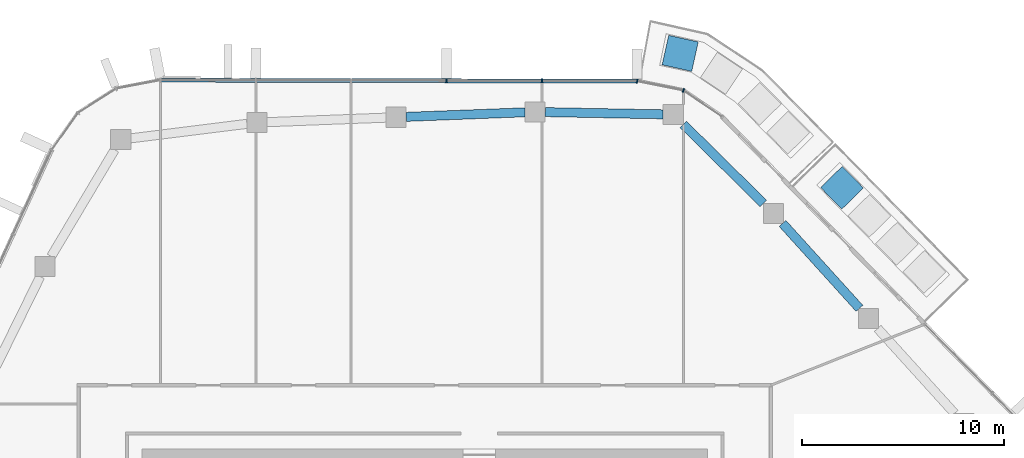
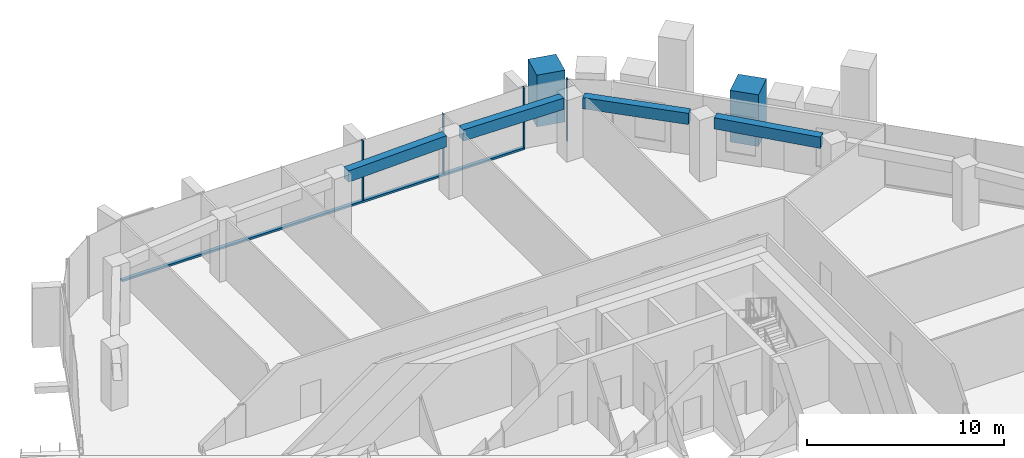
# One storey, part 9 of 23: 7 members, 4 beams, 2 elements without a shape of their own.
"""IFC4 building model written with IfcOpenShell, lengths in metres."""

from ifc_helpers import new_model, si_unit, direction, frame, origin, origin_2d, place, context, subcontext, project, spatial, rectangle, extrude, material, layer, layer_set, material_profile, profile_set, type_object, element, aggregate, save


model = new_model("IFC4")

# Units and contexts
model_context = context("Model", 3, precision=1e-05, world=origin(), true_north=direction((0.0, 1.0)))
body_context = subcontext(model_context, "Body", "Model", "MODEL_VIEW")
ifc_project = project(units=[si_unit("LENGTHUNIT", "METRE"), si_unit("AREAUNIT", "SQUARE_METRE"), si_unit("VOLUMEUNIT", "CUBIC_METRE"), si_unit("PLANEANGLEUNIT", "RADIAN"), si_unit("MASSUNIT", "GRAM", prefix="KILO")], contexts=[model_context])

# Site, building, storey
site_placement = place(None, origin())
site = spatial("IfcSite", under=ifc_project, at=site_placement, CompositionType="ELEMENT")
building_placement = place(site_placement, origin())
building = spatial("IfcBuilding", under=site, at=building_placement, Name="Dongbaek Canopy Tower", CompositionType="ELEMENT")
storey_placement = place(building_placement, frame((0.0, 0.0, 315.199951171875)))
storey = spatial("IfcBuildingStorey", under=building, at=storey_placement, Name="L67", CompositionType="ELEMENT", Elevation=315.199951171875)

# Curtain wall, members
ifc_material_1 = material(Name="Aluminium 6063-T6 pale anodised", Category="aluminium")
ifc_layer = layer(ifc_material_1, 0.199951171875)
ifc_layer_set = layer_set([ifc_layer], Name="CW-1 unitised tower curtain wall")
curtain_wall_type = type_object("IfcCurtainWallType", Name="CW-1 unitised tower curtain wall", PredefinedType="NOTDEFINED", material=ifc_layer_set)
curtain_wall_1_placement = place(storey_placement, origin())
curtain_wall_1 = element("IfcCurtainWall", 1, at=curtain_wall_1_placement, inside=storey, type_object=curtain_wall_type, Name="CW-1 curtain wall K1.1", PredefinedType="NOTDEFINED")
ifc_material_2 = material(Name="Aluminium 6063-T6 pale anodised", Category="aluminium")
ifc_material_profile_1 = material_profile(ifc_material_2, rectangle(XDim=0.199951171875, YDim=0.06005859375, at=origin_2d()), Name="CW-1 mullion 60 x 200")
ifc_profile_set_1 = profile_set([ifc_material_profile_1], Name="Aluminium 6063-T6 pale anodised")
member_type_1 = type_object("IfcMemberType", Name="CW-1 mullion 60 x 200", PredefinedType="MULLION", material=ifc_profile_set_1)
member_1_placement = place(storey_placement, frame((12.813720703125, 28.750732421875, 0.0), z_axis=(0.0, 0.0, 1.0), x_axis=(0.388722757848, 0.921354772892, 0.0)))
member_1 = element("IfcMember", 2, at=member_1_placement, type_object=member_type_1, Name="CW-1 mullion K1.1.2", PredefinedType="MULLION", context=body_context, shape_type="SweptSolid", body=[
    extrude(rectangle(XDim=0.199951171875, YDim=0.06005859375, at=origin_2d()), origin(), (0.0, 0.0, 1.0), 3.820068359375),
])
member_2_placement = place(storey_placement, frame((10.52392578125, 29.216552734375, 0.0), z_axis=(0.0, 0.0, 1.0), x_axis=(0.199367619142, 0.979924768764, 0.0)))
member_2 = element("IfcMember", 3, at=member_2_placement, type_object=member_type_1, Name="CW-1 mullion K1.1.3", PredefinedType="MULLION", context=body_context, shape_type="SweptSolid", body=[
    extrude(rectangle(XDim=0.199951171875, YDim=0.06005859375, at=origin_2d()), origin(), (0.0, 0.0, 1.0), 3.820068359375),
])
aggregate(curtain_wall_1, [member_1, member_2])

curtain_wall_2_placement = place(storey_placement, origin())
curtain_wall_2 = element("IfcCurtainWall", 4, at=curtain_wall_2_placement, inside=storey, type_object=curtain_wall_type, Name="CW-1 curtain wall F1.1", PredefinedType="NOTDEFINED")
member_3_placement = place(storey_placement, frame((5.8076171875, 29.226806640625, 0.1201171875), z_axis=(0.0, 0.0, 1.0), x_axis=(0.002180161438, 0.999997623445, 0.0)))
member_3 = element("IfcMember", 5, at=member_3_placement, type_object=member_type_1, Name="CW-1 mullion F1.1.2", PredefinedType="MULLION", context=body_context, shape_type="SweptSolid", body=[
    extrude(rectangle(XDim=0.199951171875, YDim=0.06005859375, at=origin_2d()), origin(), (0.0, 0.0, 1.0), 3.699951171875),
])
member_4_placement = place(storey_placement, frame((1.08154296875, 29.2373046875, 0.1201171875), z_axis=(0.0, 0.0, 1.0), x_axis=(0.002180161438, 0.999997623445, 0.0)))
member_4 = element("IfcMember", 6, at=member_4_placement, type_object=member_type_1, Name="CW-1 mullion F1.1.3", PredefinedType="MULLION", context=body_context, shape_type="SweptSolid", body=[
    extrude(rectangle(XDim=0.199951171875, YDim=0.06005859375, at=origin_2d()), origin(), (0.0, 0.0, 1.0), 3.699951171875),
])
ifc_material_3 = material(Name="Aluminium 6063-T6 pale anodised", Category="aluminium")
ifc_material_profile_2 = material_profile(ifc_material_3, rectangle(XDim=0.199951171875, YDim=0.1201171875, at=origin_2d()), Name="CW-1 transom 120 x 200")
ifc_profile_set_2 = profile_set([ifc_material_profile_2], Name="Aluminium 6063-T6 pale anodised")
member_type_2 = type_object("IfcMemberType", Name="CW-1 transom 120 x 200", PredefinedType="USERDEFINED", material=ifc_profile_set_2)
member_5_placement = place(storey_placement, frame((10.52392578125, 29.216552734375, 0.06005859375), z_axis=(-0.999997620024, 0.00218173027, 0.0), x_axis=(-0.00218173027, -0.999997620024, 0.0)))
member_5 = element("IfcMember", 7, at=member_5_placement, type_object=member_type_2, Name="CW-1 transom F1.1.1", ObjectType="TRANSOM", PredefinedType="USERDEFINED", context=body_context, shape_type="SweptSolid", body=[
    extrude(rectangle(XDim=0.199951171875, YDim=0.1201171875, at=origin_2d()), origin(), (0.0, 0.0, 1.0), 23.611328125),
])
aggregate(curtain_wall_2, [member_3, member_4, member_5])

# Beams
ifc_material_4 = material(Name="Concrete C60", Category="concrete")
ifc_material_profile_3 = material_profile(ifc_material_4, rectangle(XDim=0.449951171875, YDim=0.699951171875, at=origin_2d()), Name="RC EDGE BEAM 450x700 C60")
ifc_profile_set_3 = profile_set([ifc_material_profile_3], Name="Concrete C60")
beam_type = type_object("IfcBeamType", Name="RC EDGE BEAM 450x700 C60", PredefinedType="BEAM", material=ifc_profile_set_3)
beam_1_placement = place(storey_placement, frame((-0.91796875, 27.447265625, 3.469970703125), z_axis=(0.999267098379, 0.038278794366, 0.0), x_axis=(-0.038278794366, 0.999267098379, 0.0)))
element("IfcBeam", 8, at=beam_1_placement, inside=storey, type_object=beam_type, Name="EDGEBEAM:L67:15", PredefinedType="BEAM", context=body_context, shape_type="SweptSolid", body=[
    extrude(rectangle(XDim=0.449951171875, YDim=0.699951171875, at=origin_2d()), origin(), (0.0, 0.0, 1.0), 5.893310546875),
])
beam_2_placement = place(storey_placement, frame((5.970947265625, 27.6826171875, 3.469970703125), z_axis=(0.99982249395, -0.018840928625, 0.0), x_axis=(0.018840928625, 0.99982249395, 0.0)))
element("IfcBeam", 9, at=beam_2_placement, inside=storey, type_object=beam_type, Name="EDGEBEAM:L67:16", PredefinedType="BEAM", context=body_context, shape_type="SweptSolid", body=[
    extrude(rectangle(XDim=0.449951171875, YDim=0.699951171875, at=origin_2d()), origin(), (0.0, 0.0, 1.0), 5.843994140625),
])
beam_3_placement = place(storey_placement, frame((12.81396484375, 27.069580078125, 3.469970703125), z_axis=(0.711740530271, -0.702442465665, 0.0), x_axis=(0.702442465665, 0.711740530271, 0.0)))
element("IfcBeam", 10, at=beam_3_placement, inside=storey, type_object=beam_type, Name="EDGEBEAM:L67:17", PredefinedType="BEAM", context=body_context, shape_type="SweptSolid", body=[
    extrude(rectangle(XDim=0.449951171875, YDim=0.699951171875, at=origin_2d()), origin(), (0.0, 0.0, 1.0), 5.56640625),
])
beam_4_placement = place(storey_placement, frame((17.72900390625, 22.166015625, 3.469970703125), z_axis=(0.67133921348, -0.741150227986, 0.0), x_axis=(0.741150227986, 0.67133921348, 0.0)))
element("IfcBeam", 11, at=beam_4_placement, inside=storey, type_object=beam_type, Name="EDGEBEAM:L67:18", PredefinedType="BEAM", context=body_context, shape_type="SweptSolid", body=[
    extrude(rectangle(XDim=0.449951171875, YDim=0.699951171875, at=origin_2d()), origin(), (0.0, 0.0, 1.0), 5.67236328125),
])

# Members
ifc_material_5 = material(Name="Concrete C40/50 planter mass with planting", Category="concrete")
ifc_material_profile_4 = material_profile(ifc_material_5, rectangle(XDim=1.5, YDim=1.5, at=origin_2d()), Name="Terrace PLANTER shrub mass 1500 x 1500")
ifc_profile_set_4 = profile_set([ifc_material_profile_4], Name="Concrete C40/50 planter mass with planting")
member_type_3 = type_object("IfcMemberType", Name="Terrace PLANTER shrub mass 1500 x 1500", PredefinedType="USERDEFINED", material=ifc_profile_set_4)
for number, where, z_axis, x_axis, name in (
    (12, (20.6748046875, 23.934814453125, 0.420166015625), (0.0, 0.0, 1.0), (0.714780141035, 0.699349233203, 0.0), "Planter shrubs L67 1.4"),
    (13, (12.65625, 30.592529296875, 0.420166015625), (0.0, 0.0, 1.0), (0.21791609372, 0.975967507706, 0.0), "Planter shrubs L67 5.4"),
):
    element("IfcMember", number, at=place(storey_placement, frame(where, z_axis=z_axis, x_axis=x_axis)), inside=storey, type_object=member_type_3, Name=name, ObjectType="PLANTER", PredefinedType="USERDEFINED", context=body_context, shape_type="SweptSolid", body=[
        extrude(rectangle(XDim=1.5, YDim=1.5, at=origin_2d()), origin(), (0.0, 0.0, 1.0), 3.2099609375),
    ])

save(model, "model.ifc")
